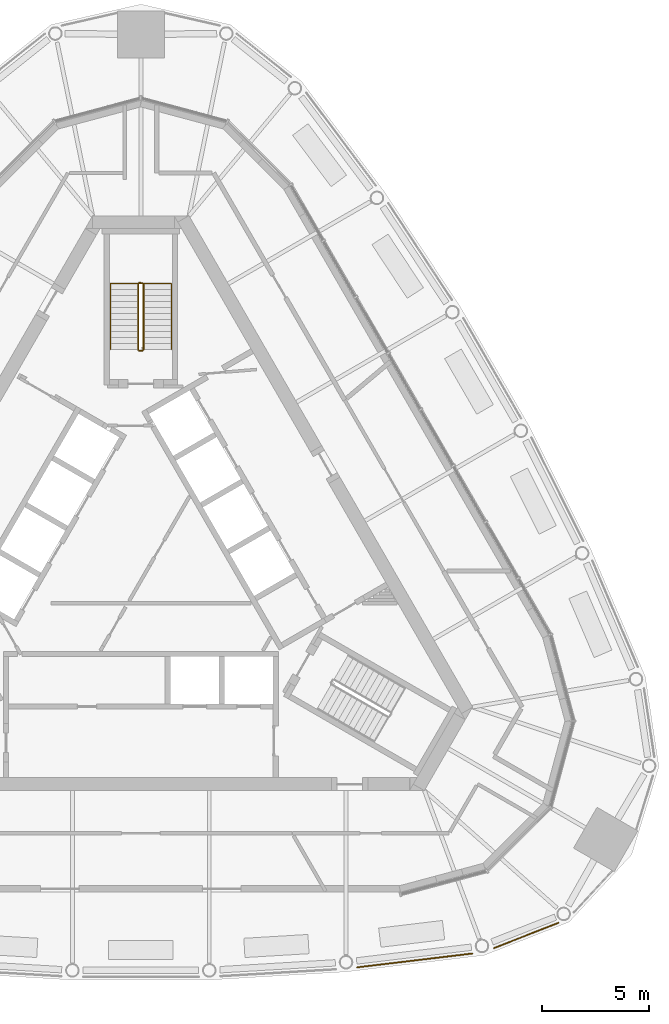
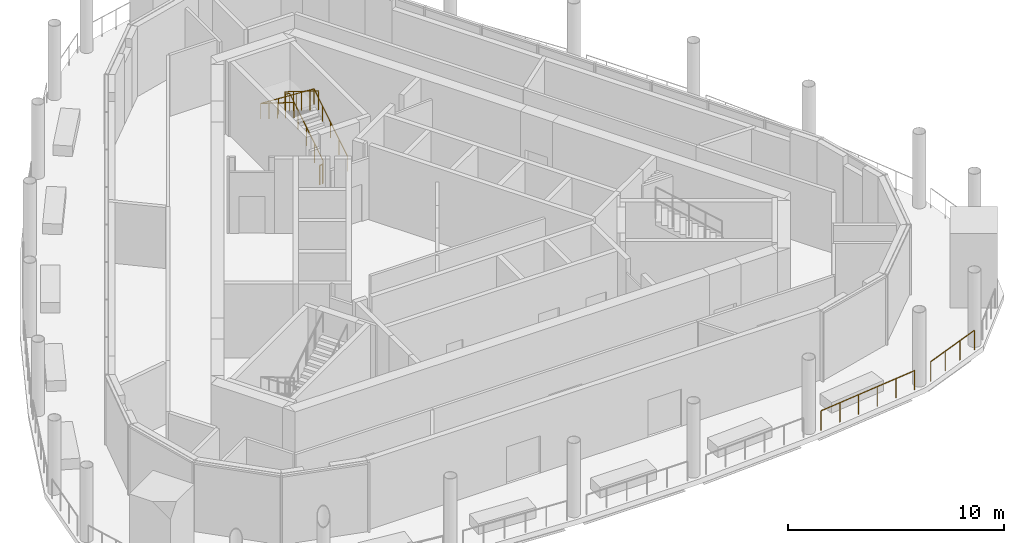
# One storey, part 12 of 15: 6 railings.
"""IFC4 building model written with IfcOpenShell, lengths in metres."""

from ifc_helpers import new_model, si_unit, direction, frame, origin, origin_2d, place, context, subcontext, project, spatial, circle, extrude, material, type_object, element, save


model = new_model("IFC4")

# Units and contexts
model_context = context("Model", 3, precision=1e-05, world=origin(), true_north=direction((0.0, 1.0)))
body_context = subcontext(model_context, "Body", "Model", "MODEL_VIEW")
ifc_project = project(units=[si_unit("LENGTHUNIT", "METRE"), si_unit("AREAUNIT", "SQUARE_METRE"), si_unit("VOLUMEUNIT", "CUBIC_METRE"), si_unit("PLANEANGLEUNIT", "RADIAN"), si_unit("MASSUNIT", "GRAM", prefix="KILO")], contexts=[model_context])

# Site, building, storey
site_placement = place(None, origin())
site = spatial("IfcSite", under=ifc_project, at=site_placement, CompositionType="ELEMENT")
building_placement = place(site_placement, origin())
building = spatial("IfcBuilding", under=site, at=building_placement, Name="Mestral Congress Tower", CompositionType="ELEMENT")
storey_placement = place(building_placement, frame((0.0, 0.0, 327.60009765625)))
storey = spatial("IfcBuildingStorey", under=building, at=storey_placement, Name="L76", CompositionType="ELEMENT", Elevation=327.60009765625)

# Railings
ifc_material_1 = material(Name="Stainless steel", Category="steel")
railing_type_1 = type_object("IfcRailingType", Name="Facade guard 1120 steel and glass", PredefinedType="GUARDRAIL", material=ifc_material_1)
railing_1_placement = place(storey_placement, frame((10.115966796875, -18.512451171875, 0.0)))
element("IfcRailing", 1, at=railing_1_placement, inside=storey, type_object=railing_type_1, Name="Terrace guard F0-04", PredefinedType="GUARDRAIL", context=body_context, shape_type="SweptSolid", body=[
    extrude(circle(Radius=0.02392578125, at=origin_2d()), frame((0.0, 0.0, 1.09619140625), z_axis=(0.992890912139, 0.119027881575, 0.0), x_axis=(-0.119027881575, 0.992890912139, 0.0)), (0.0, 0.0, 1.0), 5.4150390625),
    extrude(circle(Radius=0.02099609375, at=origin_2d()), origin(), (0.0, 0.0, 1.0), 1.072021484375),
    extrude(circle(Radius=0.02099609375, at=origin_2d()), frame((1.0751953125, 0.12890625, 0.0)), (0.0, 0.0, 1.0), 1.072021484375),
    extrude(circle(Radius=0.02099609375, at=origin_2d()), frame((2.150634765625, 0.2578125, 0.0)), (0.0, 0.0, 1.0), 1.072021484375),
    extrude(circle(Radius=0.02099609375, at=origin_2d()), frame((3.225830078125, 0.38671875, 0.0)), (0.0, 0.0, 1.0), 1.072021484375),
    extrude(circle(Radius=0.02099609375, at=origin_2d()), frame((4.30126953125, 0.515625, 0.0)), (0.0, 0.0, 1.0), 1.072021484375),
    extrude(circle(Radius=0.02099609375, at=origin_2d()), frame((5.37646484375, 0.64453125, 0.0)), (0.0, 0.0, 1.0), 1.072021484375),
])
railing_2_placement = place(storey_placement, frame((16.49951171875, -17.614990234375, 0.0)))
element("IfcRailing", 2, at=railing_2_placement, inside=storey, type_object=railing_type_1, Name="Terrace guard K0-0", PredefinedType="GUARDRAIL", context=body_context, shape_type="SweptSolid", body=[
    extrude(circle(Radius=0.02392578125, at=origin_2d()), frame((0.0, 0.0, 1.09619140625), z_axis=(0.930998834996, 0.365022148967, 0.0), x_axis=(-0.365022148967, 0.930998834996, 0.0)), (0.0, 0.0, 1.0), 3.236572265625),
    extrude(circle(Radius=0.02099609375, at=origin_2d()), origin(), (0.0, 0.0, 1.0), 1.072021484375),
    extrude(circle(Radius=0.02099609375, at=origin_2d()), frame((1.00439453125, 0.393798828125, 0.0)), (0.0, 0.0, 1.0), 1.072021484375),
    extrude(circle(Radius=0.02099609375, at=origin_2d()), frame((2.0087890625, 0.78759765625, 0.0)), (0.0, 0.0, 1.0), 1.072021484375),
    extrude(circle(Radius=0.02099609375, at=origin_2d()), frame((3.01318359375, 1.181396484375, 0.0)), (0.0, 0.0, 1.0), 1.072021484375),
])
ifc_material_2 = material(Name="Steel balustrade", Category="steel")
railing_type_2 = type_object("IfcRailingType", Name="Stair guard 1100", PredefinedType="GUARDRAIL", material=ifc_material_2)
railing_3_placement = place(storey_placement, frame((0.125, 10.35009765625, 0.1748046875)))
element("IfcRailing", 3, at=railing_3_placement, inside=storey, type_object=railing_type_2, Name="L76 ST2 stair guard 1", PredefinedType="GUARDRAIL", context=body_context, shape_type="SweptSolid", body=[
    extrude(circle(Radius=0.02392578125, at=origin_2d()), frame((0.0, 0.0, 1.076171875), z_axis=(0.0, 0.847979421464, 0.530029150871), x_axis=(-1.0, 0.0, 0.0)), (0.0, 0.0, 1.0), 3.632080078125),
    extrude(circle(Radius=0.02392578125, at=origin_2d()), frame((0.0, 3.079833984375, 3.0009765625), z_axis=(-0.970072785993, 0.242814311512, 0.0), x_axis=(-0.242814311512, -0.970072785993, 0.0)), (0.0, 0.0, 1.0), 0.2060546875),
    extrude(circle(Radius=0.02099609375, at=origin_2d()), origin(), (0.0, 0.0, 1.0), 1.052001953125),
    extrude(circle(Radius=0.02099609375, at=origin_2d()), frame((0.0, 0.77001953125, 0.481201171875)), (0.0, 0.0, 1.0), 1.052001953125),
    extrude(circle(Radius=0.02099609375, at=origin_2d()), frame((0.0, 1.5400390625, 0.96240234375)), (0.0, 0.0, 1.0), 1.052001953125),
    extrude(circle(Radius=0.02099609375, at=origin_2d()), frame((0.0, 2.309814453125, 1.44384765625)), (0.0, 0.0, 1.0), 1.052001953125),
    extrude(circle(Radius=0.02099609375, at=origin_2d()), frame((0.0, 3.079833984375, 1.925048828125)), (0.0, 0.0, 1.0), 1.052001953125),
    extrude(circle(Radius=0.02099609375, at=origin_2d()), frame((-0.199951171875, 3.1298828125, 1.925048828125)), (0.0, 0.0, 1.0), 1.052001953125),
])
railing_4_placement = place(storey_placement, frame((-0.125, 13.429931640625, 2.27490234375)))
element("IfcRailing", 4, at=railing_4_placement, inside=storey, type_object=railing_type_2, Name="L76 ST2 stair guard 2", PredefinedType="GUARDRAIL", context=body_context, shape_type="SweptSolid", body=[
    extrude(circle(Radius=0.02392578125, at=origin_2d()), frame((0.0, 0.0, 1.076171875), z_axis=(0.0, -0.847979421464, 0.530029150871), x_axis=(1.0, 0.0, 0.0)), (0.0, 0.0, 1.0), 3.632080078125),
    extrude(circle(Radius=0.02099609375, at=origin_2d()), origin(), (0.0, 0.0, 1.0), 1.052001953125),
    extrude(circle(Radius=0.02099609375, at=origin_2d()), frame((0.0, -0.77001953125, 0.481201171875)), (0.0, 0.0, 1.0), 1.052001953125),
    extrude(circle(Radius=0.02099609375, at=origin_2d()), frame((0.0, -1.5400390625, 0.96240234375)), (0.0, 0.0, 1.0), 1.052001953125),
    extrude(circle(Radius=0.02099609375, at=origin_2d()), frame((0.0, -2.309814453125, 1.44384765625)), (0.0, 0.0, 1.0), 1.052001953125),
    extrude(circle(Radius=0.02099609375, at=origin_2d()), frame((0.0, -3.079833984375, 1.925048828125)), (0.0, 0.0, 1.0), 1.052001953125),
])
railing_5_placement = place(storey_placement, frame((0.074951171875, 10.300048828125, 0.0)))
element("IfcRailing", 5, at=railing_5_placement, inside=storey, type_object=railing_type_2, Name="L76 ST2 stair guard 3", PredefinedType="GUARDRAIL", context=body_context, shape_type="SweptSolid", body=[
    extrude(circle(Radius=0.02392578125, at=origin_2d()), frame((0.0, 0.0, 1.076171875), z_axis=(-1.0, 0.0, 0.0), x_axis=(0.0, -1.0, 0.0)), (0.0, 0.0, 1.0), 0.14990234375),
    extrude(circle(Radius=0.02099609375, at=origin_2d()), origin(), (0.0, 0.0, 1.0), 1.052001953125),
    extrude(circle(Radius=0.02099609375, at=origin_2d()), frame((-0.14990234375, 0.0, 0.0)), (0.0, 0.0, 1.0), 1.052001953125),
])
ifc_material_3 = material(Name="Steel handrail", Category="steel")
railing_type_3 = type_object("IfcRailingType", Name="Stair handrail 900", PredefinedType="HANDRAIL", material=ifc_material_3)
railing_6_placement = place(storey_placement, frame((1.425048828125, 10.35009765625, 0.1748046875)))
element("IfcRailing", 6, at=railing_6_placement, inside=storey, type_object=railing_type_3, Name="L76 ST2 stair handrail 1", PredefinedType="HANDRAIL", context=body_context, shape_type="SweptSolid", body=[
    extrude(circle(Radius=0.02392578125, at=origin_2d()), frame((0.0, 0.0, 0.8759765625), z_axis=(0.0, 0.847979421464, 0.530029150871), x_axis=(-1.0, 0.0, 0.0)), (0.0, 0.0, 1.0), 3.632080078125),
    extrude(circle(Radius=0.02392578125, at=origin_2d()), frame((0.0, 3.079833984375, 2.80078125), z_axis=(-0.998119201106, 0.0, 0.061303021003), x_axis=(0.0, -1.0, 0.0)), (0.0, 0.0, 1.0), 2.85546875),
    extrude(circle(Radius=0.02392578125, at=origin_2d()), frame((-2.85009765625, 3.079833984375, 2.97607421875), z_axis=(0.0, -0.847979421464, 0.530029150871), x_axis=(1.0, 0.0, 0.0)), (0.0, 0.0, 1.0), 3.632080078125),
    extrude(circle(Radius=0.02099609375, at=origin_2d()), origin(), (0.0, 0.0, 1.0), 0.851806640625),
    extrude(circle(Radius=0.02099609375, at=origin_2d()), frame((0.0, 0.77001953125, 0.481201171875)), (0.0, 0.0, 1.0), 0.851806640625),
    extrude(circle(Radius=0.02099609375, at=origin_2d()), frame((0.0, 1.5400390625, 0.96240234375)), (0.0, 0.0, 1.0), 0.851806640625),
    extrude(circle(Radius=0.02099609375, at=origin_2d()), frame((0.0, 2.309814453125, 1.44384765625)), (0.0, 0.0, 1.0), 0.851806640625),
    extrude(circle(Radius=0.02099609375, at=origin_2d()), frame((0.0, 3.079833984375, 1.925048828125)), (0.0, 0.0, 1.0), 0.851806640625),
    extrude(circle(Radius=0.02099609375, at=origin_2d()), frame((-0.949951171875, 3.079833984375, 1.9833984375)), (0.0, 0.0, 1.0), 0.851806640625),
    extrude(circle(Radius=0.02099609375, at=origin_2d()), frame((-1.900146484375, 3.079833984375, 2.041748046875)), (0.0, 0.0, 1.0), 0.851806640625),
    extrude(circle(Radius=0.02099609375, at=origin_2d()), frame((-2.85009765625, 3.079833984375, 2.10009765625)), (0.0, 0.0, 1.0), 0.851806640625),
    extrude(circle(Radius=0.02099609375, at=origin_2d()), frame((-2.85009765625, 2.309814453125, 2.581298828125)), (0.0, 0.0, 1.0), 0.851806640625),
    extrude(circle(Radius=0.02099609375, at=origin_2d()), frame((-2.85009765625, 1.5400390625, 3.0625)), (0.0, 0.0, 1.0), 0.851806640625),
    extrude(circle(Radius=0.02099609375, at=origin_2d()), frame((-2.85009765625, 0.77001953125, 3.5439453125)), (0.0, 0.0, 1.0), 0.851806640625),
    extrude(circle(Radius=0.02099609375, at=origin_2d()), frame((-2.85009765625, 0.0, 4.025146484375)), (0.0, 0.0, 1.0), 0.851806640625),
])

save(model, "model.ifc")
